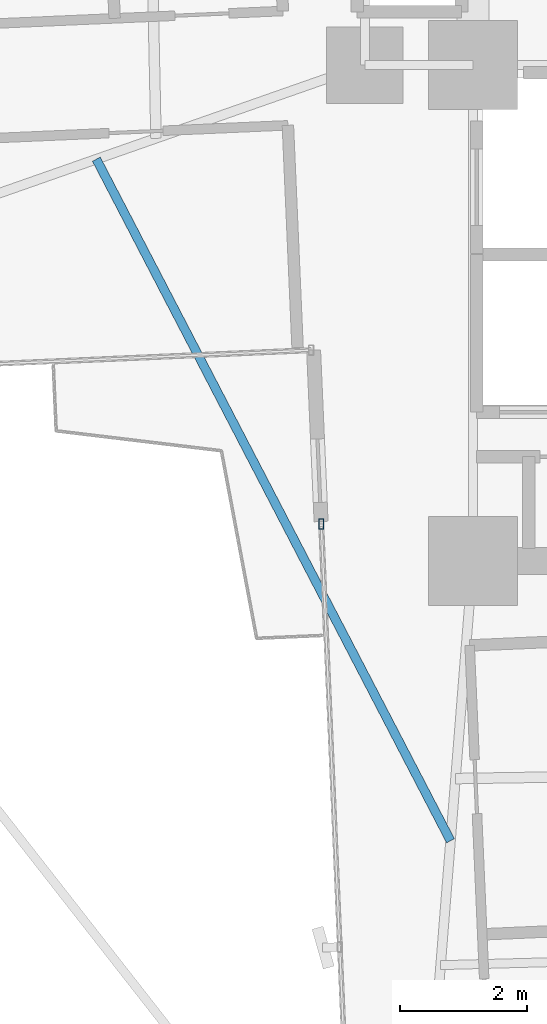
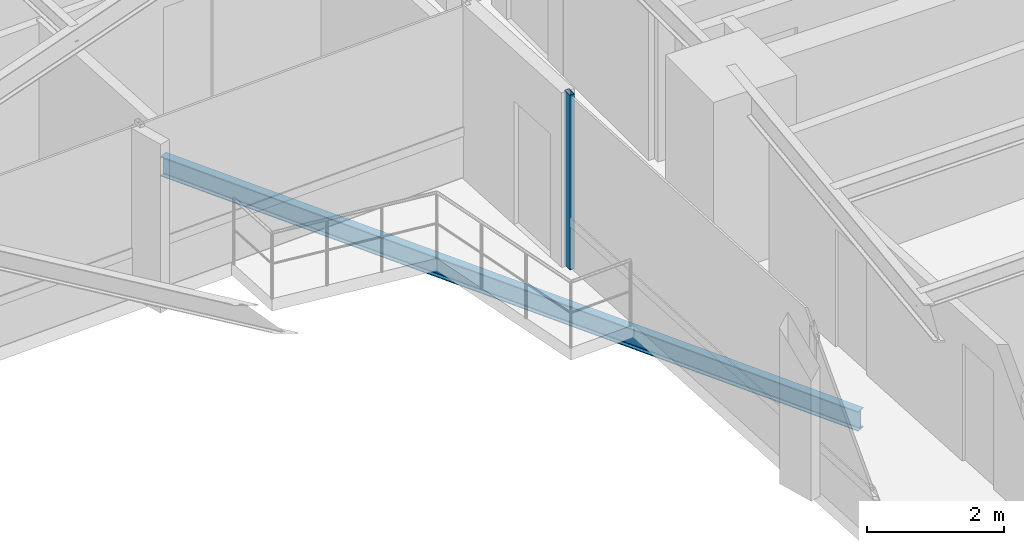
# One storey, part 5 of 26: 1 beam, 1 member, 1 element without a shape of its own.
"""IFC4 building model written with IfcOpenShell, lengths in metres."""

from ifc_helpers import new_model, si_unit, direction, frame, origin, origin_2d, place, context, subcontext, project, spatial, hollow_rectangle, i_section, extrude, source, transform, mapped, material, material_profile, profile_set, type_object, element, aggregate, save


model = new_model("IFC4")

# Units and contexts
model_context = context("Model", 3, precision=1e-05, world=origin(), true_north=direction((0.0, 1.0)))
body_context = subcontext(model_context, "Body", "Model", "MODEL_VIEW")
ifc_project = project(units=[si_unit("LENGTHUNIT", "METRE"), si_unit("AREAUNIT", "SQUARE_METRE"), si_unit("VOLUMEUNIT", "CUBIC_METRE"), si_unit("PLANEANGLEUNIT", "RADIAN"), si_unit("MASSUNIT", "GRAM", prefix="KILO")], contexts=[model_context])

# Site, building, storey
site_placement = place(None, origin())
site = spatial("IfcSite", under=ifc_project, at=site_placement, CompositionType="ELEMENT")
building_placement = place(site_placement, origin())
building = spatial("IfcBuilding", under=site, at=building_placement, Name="Sahyath Konkavel Grand Hotel", CompositionType="ELEMENT")
storey_placement = place(building_placement, frame((0.0, 0.0, 86.85009765625)))
storey = spatial("IfcBuildingStorey", under=building, at=storey_placement, Name="L23", CompositionType="ELEMENT", Elevation=86.85009765625)

# Curtain wall, member
ifc_material_1 = material(Name="Anodised Bronze Aluminium & Low-E Glazing", Category="aluminium")
curtain_wall_type = type_object("IfcCurtainWallType", Name="CW-ZONE2", PredefinedType="NOTDEFINED", material=ifc_material_1)
curtain_wall_placement = place(storey_placement, origin())
curtain_wall = element("IfcCurtainWall", 1, at=curtain_wall_placement, inside=storey, type_object=curtain_wall_type, Name="L23 Unitised Curtain Wall F24", PredefinedType="NOTDEFINED")
ifc_material_2 = material(Name="Anodised Bronze Aluminium", Category="aluminium")
ifc_material_profile_1 = material_profile(ifc_material_2, hollow_rectangle(XDim=0.080078125, YDim=0.159912109375, WallThickness=0.006103515625, at=origin_2d()), Name="RHS 160x80x6")
ifc_profile_set_1 = profile_set([ifc_material_profile_1], Name="Anodised Bronze Aluminium")
member_type = type_object("IfcMemberType", Name="CW-MUL-160", PredefinedType="MULLION", material=ifc_profile_set_1)
shared_shape_1 = source(origin(), body_context, "Body", "SweptSolid", [
    extrude(hollow_rectangle(XDim=0.080078125, YDim=0.159912109375, WallThickness=0.006103515625, at=origin_2d()), origin(), (0.0, 0.0, 1.0), 3.10986328125),
])
member_placement = place(storey_placement, frame((-6.186279296875, -9.618896484375, 0.0), z_axis=(0.0, 0.0, 1.0), x_axis=(1.0, 0.0, 0.0)))
member = element("IfcMember", 2, at=member_placement, type_object=member_type, Name="L23 Curtain Wall Mullion F24-0", PredefinedType="MULLION", context=body_context, shape_type="MappedRepresentation", body=[
    mapped(shared_shape_1, transform((0.0, 0.0, 0.0), scale=1.0)),
])
aggregate(curtain_wall, [member])

# Beam
ifc_material_3 = material(Name="Steel E350", Category="steel")
ifc_material_profile_2 = material_profile(ifc_material_3, i_section(OverallWidth=0.139892578125, OverallDepth=0.35009765625, WebThickness=0.008056640625, FlangeThickness=0.01416015625, FilletRadius=0.013916015625, at=origin_2d()), Name="ISMB 350")
ifc_profile_set_2 = profile_set([ifc_material_profile_2], Name="Steel E350")
beam_type = type_object("IfcBeamType", Name="BM-BALC-CANT", PredefinedType="BEAM", material=ifc_profile_set_2)
shared_shape_2 = source(origin(), body_context, "Body", "SweptSolid", [
    extrude(i_section(OverallWidth=0.139892578125, OverallDepth=0.35009765625, WebThickness=0.008056640625, FlangeThickness=0.01416015625, FilletRadius=0.013916015625, at=origin_2d()), origin(), (0.0, 0.0, 1.0), 12.085205078125),
])
beam_placement = place(storey_placement, frame((-9.7236328125, -3.87890625, -0.4150390625), z_axis=(0.461082384626, -0.887357331962, 0.0), x_axis=(0.887357331962, 0.461082384626, 0.0)))
element("IfcBeam", 3, at=beam_placement, inside=storey, type_object=beam_type, Name="L23 Balcony Cantilever Support Beam SW", PredefinedType="BEAM", context=body_context, shape_type="MappedRepresentation", body=[
    mapped(shared_shape_2, transform((0.0, 0.0, 0.0), scale=1.0)),
])

save(model, "model.ifc")
